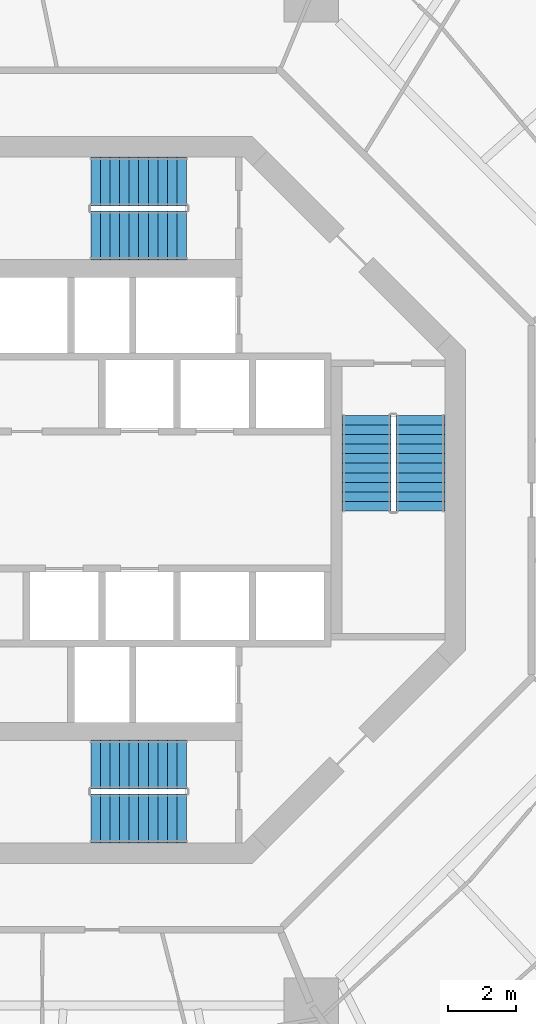
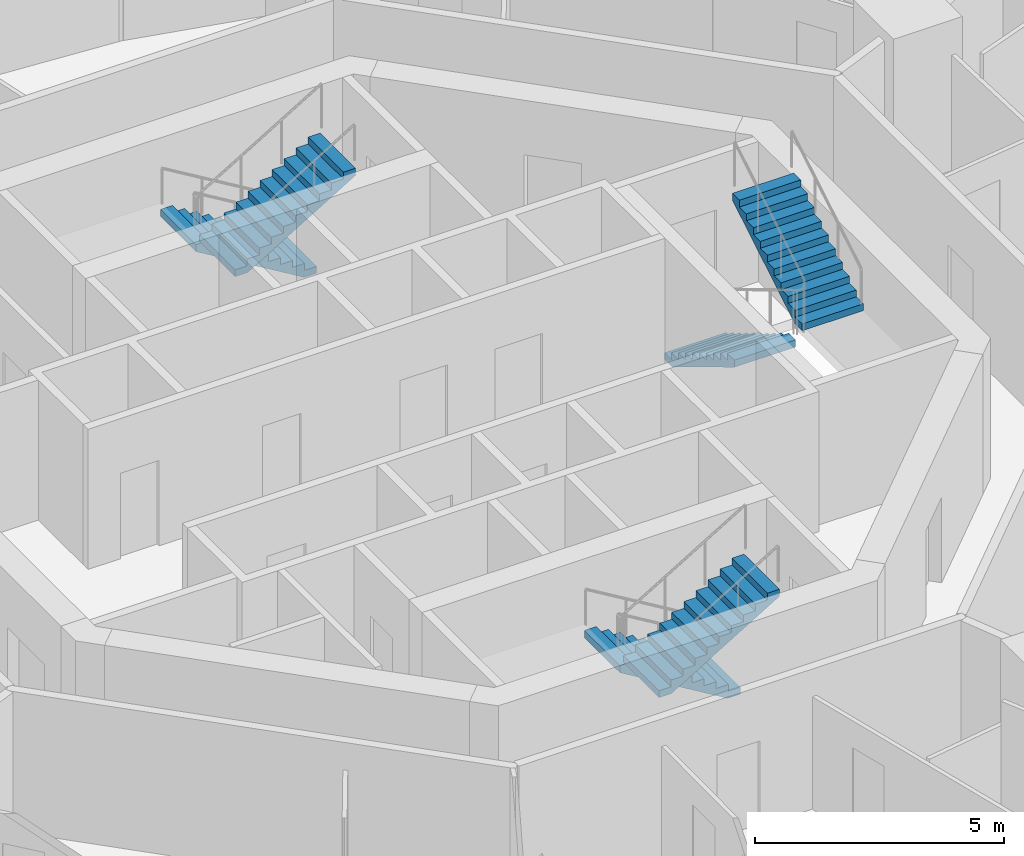
# One storey, part 15 of 18: 6 stair flights, 3 elements without a shape of their own.
"""IFC4 building model written with IfcOpenShell, lengths in metres."""

from ifc_helpers import new_model, si_unit, direction, frame, origin, place, context, subcontext, project, spatial, polyline, outline, extrude, material, type_object, element, aggregate, save


model = new_model("IFC4")

# Units and contexts
model_context = context("Model", 3, precision=1e-05, world=origin(), true_north=direction((0.0, 1.0)))
body_context = subcontext(model_context, "Body", "Model", "MODEL_VIEW")
ifc_project = project(units=[si_unit("LENGTHUNIT", "METRE"), si_unit("AREAUNIT", "SQUARE_METRE"), si_unit("VOLUMEUNIT", "CUBIC_METRE"), si_unit("PLANEANGLEUNIT", "RADIAN"), si_unit("MASSUNIT", "GRAM", prefix="KILO")], contexts=[model_context])

# Site, building, storey
site_placement = place(None, origin())
site = spatial("IfcSite", under=ifc_project, at=site_placement, CompositionType="ELEMENT")
building_placement = place(site_placement, origin())
building = spatial("IfcBuilding", under=site, at=building_placement, Name="Nagisa Residences", CompositionType="ELEMENT")
storey_placement = place(building_placement, frame((0.0, 0.0, 215.89990234375)))
storey = spatial("IfcBuildingStorey", under=building, at=storey_placement, Name="L54", CompositionType="ELEMENT", Elevation=215.89990234375)

# Stair, stair flights
ifc_material_1 = material(Name="Concrete C60", Category="concrete")
stair_type = type_object("IfcStairType", Name="Exit stair", PredefinedType="HALF_TURN_STAIR", material=ifc_material_1)
stair_1_placement = place(storey_placement, origin())
stair_1 = element("IfcStair", 1, at=stair_1_placement, inside=storey, type_object=stair_type, Name="L54 Exit stair E", PredefinedType="HALF_TURN_STAIR")
ifc_material_2 = material(Name="Concrete C60", Category="concrete")
stair_flight_type = type_object("IfcStairFlightType", Name="Exit stair flight", PredefinedType="STRAIGHT", material=ifc_material_2)
stair_flight_1_placement = place(storey_placement, frame((7.737060546875, 2.47509765625, 0.0), z_axis=(0.0, 0.0, 1.0), x_axis=(0.0, -1.0, 0.0)))
stair_flight_1 = element("IfcStairFlight", 2, at=stair_flight_1_placement, type_object=stair_flight_type, Name="ST-E flight 1", NumberOfRisers=11, NumberOfTreads=10, PredefinedType="STRAIGHT", RiserHeight=0.168181818, TreadLength=0.28, context=body_context, shape_type="SweptSolid", body=[
    extrude(outline(polyline([(0.0, 0.0), (0.0, 0.168212890625), (0.280029296875, 0.168212890625), (0.280029296875, 0.33642578125), (0.56005859375, 0.33642578125), (0.56005859375, 0.504638671875), (0.840087890625, 0.504638671875), (0.840087890625, 0.672607421875), (1.1201171875, 0.672607421875), (1.1201171875, 0.8408203125), (1.39990234375, 0.8408203125), (1.39990234375, 1.009033203125), (1.679931640625, 1.009033203125), (1.679931640625, 1.17724609375), (1.9599609375, 1.17724609375), (1.9599609375, 1.345458984375), (2.239990234375, 1.345458984375), (2.239990234375, 1.513671875), (2.52001953125, 1.513671875), (2.52001953125, 1.681884765625), (2.800048828125, 1.681884765625), (2.800048828125, 1.85009765625), (2.800048828125, 1.5068359375), (0.291015625, 0.0), (0.0, 0.0)])), frame((0.0, 0.71240234375, 0.0), z_axis=(0.0, -1.0, 0.0), x_axis=(1.0, 0.0, 0.0)), (0.0, 0.0, 1.0), 1.425048828125),
])
stair_flight_2_placement = place(storey_placement, frame((9.31201171875, -0.324951171875, 1.85009765625), z_axis=(0.0, 0.0, 1.0), x_axis=(0.0, 1.0, 0.0)))
stair_flight_2 = element("IfcStairFlight", 3, at=stair_flight_2_placement, type_object=stair_flight_type, Name="ST-E flight 2", NumberOfRisers=11, NumberOfTreads=10, PredefinedType="STRAIGHT", RiserHeight=0.168181818, TreadLength=0.28, context=body_context, shape_type="SweptSolid", body=[
    extrude(outline(polyline([(0.0, 0.0), (0.0, 0.168212890625), (0.280029296875, 0.168212890625), (0.280029296875, 0.33642578125), (0.56005859375, 0.33642578125), (0.56005859375, 0.504638671875), (0.840087890625, 0.504638671875), (0.840087890625, 0.672607421875), (1.1201171875, 0.672607421875), (1.1201171875, 0.8408203125), (1.39990234375, 0.8408203125), (1.39990234375, 1.009033203125), (1.679931640625, 1.009033203125), (1.679931640625, 1.17724609375), (1.9599609375, 1.17724609375), (1.9599609375, 1.345458984375), (2.239990234375, 1.345458984375), (2.239990234375, 1.513671875), (2.52001953125, 1.513671875), (2.52001953125, 1.681884765625), (2.800048828125, 1.681884765625), (2.800048828125, 1.85009765625), (2.800048828125, 1.5068359375), (0.291015625, 0.0), (0.0, 0.0)])), frame((0.0, 0.71240234375, 0.0), z_axis=(0.0, -1.0, 0.0), x_axis=(1.0, 0.0, 0.0)), (0.0, 0.0, 1.0), 1.425048828125),
])
aggregate(stair_1, [stair_flight_1, stair_flight_2])

stair_2_placement = place(storey_placement, origin())
stair_2 = element("IfcStair", 4, at=stair_2_placement, inside=storey, type_object=stair_type, Name="L54 Exit stair N", PredefinedType="HALF_TURN_STAIR")
stair_flight_3_placement = place(storey_placement, frame((2.47509765625, 9.31201171875, 0.0), z_axis=(0.0, 0.0, 1.0), x_axis=(-1.0, 0.0, 0.0)))
stair_flight_3 = element("IfcStairFlight", 5, at=stair_flight_3_placement, type_object=stair_flight_type, Name="ST-N flight 1", NumberOfRisers=11, NumberOfTreads=10, PredefinedType="STRAIGHT", RiserHeight=0.168181818, TreadLength=0.28, context=body_context, shape_type="SweptSolid", body=[
    extrude(outline(polyline([(0.0, 0.0), (0.0, 0.168212890625), (0.280029296875, 0.168212890625), (0.280029296875, 0.33642578125), (0.56005859375, 0.33642578125), (0.56005859375, 0.504638671875), (0.840087890625, 0.504638671875), (0.840087890625, 0.672607421875), (1.1201171875, 0.672607421875), (1.1201171875, 0.8408203125), (1.39990234375, 0.8408203125), (1.39990234375, 1.009033203125), (1.679931640625, 1.009033203125), (1.679931640625, 1.17724609375), (1.9599609375, 1.17724609375), (1.9599609375, 1.345458984375), (2.239990234375, 1.345458984375), (2.239990234375, 1.513671875), (2.52001953125, 1.513671875), (2.52001953125, 1.681884765625), (2.800048828125, 1.681884765625), (2.800048828125, 1.85009765625), (2.800048828125, 1.5068359375), (0.291015625, 0.0), (0.0, 0.0)])), frame((0.0, 0.71240234375, 0.0), z_axis=(0.0, -1.0, 0.0), x_axis=(1.0, 0.0, 0.0)), (0.0, 0.0, 1.0), 1.425048828125),
])
stair_flight_4_placement = place(storey_placement, frame((-0.324951171875, 7.737060546875, 1.85009765625), z_axis=(0.0, 0.0, 1.0), x_axis=(1.0, 0.0, 0.0)))
stair_flight_4 = element("IfcStairFlight", 6, at=stair_flight_4_placement, type_object=stair_flight_type, Name="ST-N flight 2", NumberOfRisers=11, NumberOfTreads=10, PredefinedType="STRAIGHT", RiserHeight=0.168181818, TreadLength=0.28, context=body_context, shape_type="SweptSolid", body=[
    extrude(outline(polyline([(0.0, 0.0), (0.0, 0.168212890625), (0.280029296875, 0.168212890625), (0.280029296875, 0.33642578125), (0.56005859375, 0.33642578125), (0.56005859375, 0.504638671875), (0.840087890625, 0.504638671875), (0.840087890625, 0.672607421875), (1.1201171875, 0.672607421875), (1.1201171875, 0.8408203125), (1.39990234375, 0.8408203125), (1.39990234375, 1.009033203125), (1.679931640625, 1.009033203125), (1.679931640625, 1.17724609375), (1.9599609375, 1.17724609375), (1.9599609375, 1.345458984375), (2.239990234375, 1.345458984375), (2.239990234375, 1.513671875), (2.52001953125, 1.513671875), (2.52001953125, 1.681884765625), (2.800048828125, 1.681884765625), (2.800048828125, 1.85009765625), (2.800048828125, 1.5068359375), (0.291015625, 0.0), (0.0, 0.0)])), frame((0.0, 0.71240234375, 0.0), z_axis=(0.0, -1.0, 0.0), x_axis=(1.0, 0.0, 0.0)), (0.0, 0.0, 1.0), 1.425048828125),
])
aggregate(stair_2, [stair_flight_3, stair_flight_4])

stair_3_placement = place(storey_placement, origin())
stair_3 = element("IfcStair", 7, at=stair_3_placement, inside=storey, type_object=stair_type, Name="L54 Exit stair S", PredefinedType="HALF_TURN_STAIR")
stair_flight_5_placement = place(storey_placement, frame((2.47509765625, -7.737060546875, 0.0), z_axis=(0.0, 0.0, 1.0), x_axis=(-1.0, 0.0, 0.0)))
stair_flight_5 = element("IfcStairFlight", 8, at=stair_flight_5_placement, type_object=stair_flight_type, Name="ST-S flight 1", NumberOfRisers=11, NumberOfTreads=10, PredefinedType="STRAIGHT", RiserHeight=0.168181818, TreadLength=0.28, context=body_context, shape_type="SweptSolid", body=[
    extrude(outline(polyline([(0.0, 0.0), (0.0, 0.168212890625), (0.280029296875, 0.168212890625), (0.280029296875, 0.33642578125), (0.56005859375, 0.33642578125), (0.56005859375, 0.504638671875), (0.840087890625, 0.504638671875), (0.840087890625, 0.672607421875), (1.1201171875, 0.672607421875), (1.1201171875, 0.8408203125), (1.39990234375, 0.8408203125), (1.39990234375, 1.009033203125), (1.679931640625, 1.009033203125), (1.679931640625, 1.17724609375), (1.9599609375, 1.17724609375), (1.9599609375, 1.345458984375), (2.239990234375, 1.345458984375), (2.239990234375, 1.513671875), (2.52001953125, 1.513671875), (2.52001953125, 1.681884765625), (2.800048828125, 1.681884765625), (2.800048828125, 1.85009765625), (2.800048828125, 1.5068359375), (0.291015625, 0.0), (0.0, 0.0)])), frame((0.0, 0.71240234375, 0.0), z_axis=(0.0, -1.0, 0.0), x_axis=(1.0, 0.0, 0.0)), (0.0, 0.0, 1.0), 1.425048828125),
])
stair_flight_6_placement = place(storey_placement, frame((-0.324951171875, -9.31201171875, 1.85009765625), z_axis=(0.0, 0.0, 1.0), x_axis=(1.0, 0.0, 0.0)))
stair_flight_6 = element("IfcStairFlight", 9, at=stair_flight_6_placement, type_object=stair_flight_type, Name="ST-S flight 2", NumberOfRisers=11, NumberOfTreads=10, PredefinedType="STRAIGHT", RiserHeight=0.168181818, TreadLength=0.28, context=body_context, shape_type="SweptSolid", body=[
    extrude(outline(polyline([(0.0, 0.0), (0.0, 0.168212890625), (0.280029296875, 0.168212890625), (0.280029296875, 0.33642578125), (0.56005859375, 0.33642578125), (0.56005859375, 0.504638671875), (0.840087890625, 0.504638671875), (0.840087890625, 0.672607421875), (1.1201171875, 0.672607421875), (1.1201171875, 0.8408203125), (1.39990234375, 0.8408203125), (1.39990234375, 1.009033203125), (1.679931640625, 1.009033203125), (1.679931640625, 1.17724609375), (1.9599609375, 1.17724609375), (1.9599609375, 1.345458984375), (2.239990234375, 1.345458984375), (2.239990234375, 1.513671875), (2.52001953125, 1.513671875), (2.52001953125, 1.681884765625), (2.800048828125, 1.681884765625), (2.800048828125, 1.85009765625), (2.800048828125, 1.5068359375), (0.291015625, 0.0), (0.0, 0.0)])), frame((0.0, 0.71240234375, 0.0), z_axis=(0.0, -1.0, 0.0), x_axis=(1.0, 0.0, 0.0)), (0.0, 0.0, 1.0), 1.425048828125),
])
aggregate(stair_3, [stair_flight_5, stair_flight_6])

save(model, "model.ifc")
